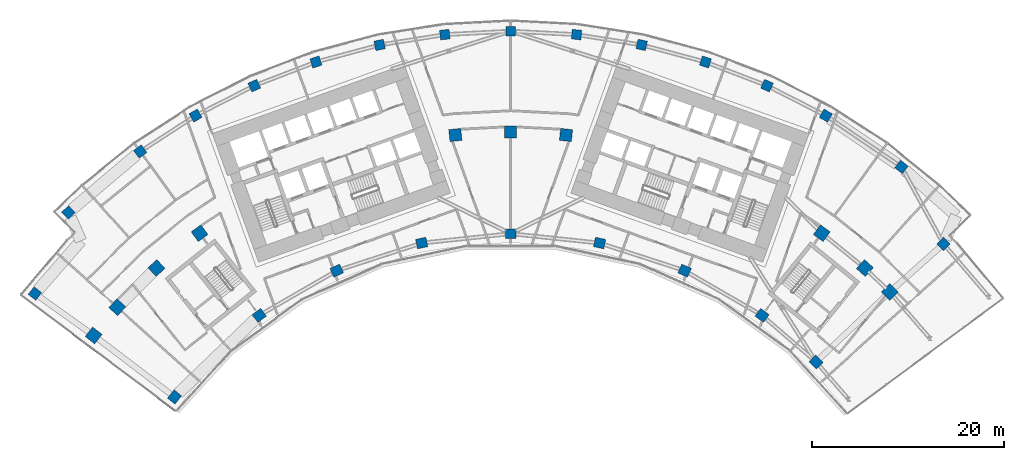
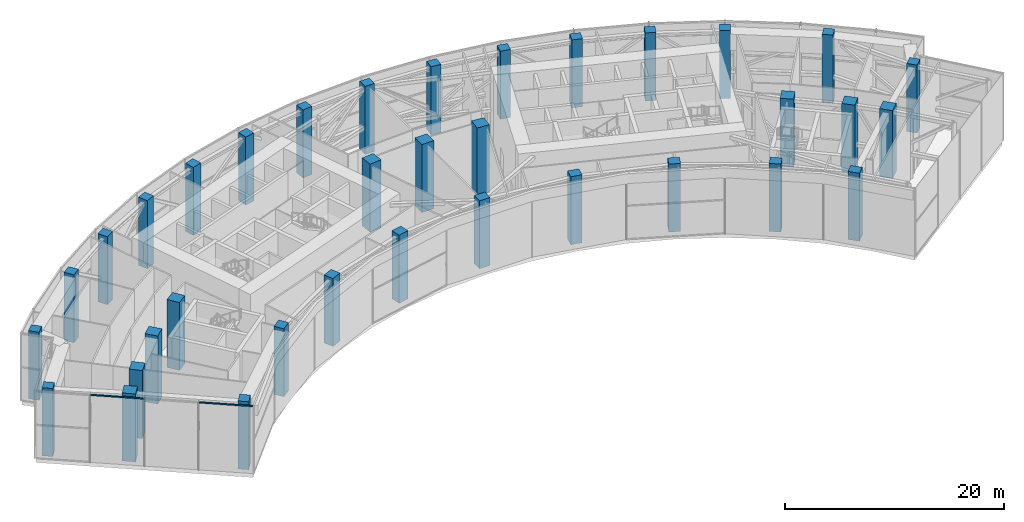
# One storey, part 1 of 32: 35 columns, 2 members, 1 element without a shape of its own.
"""IFC4 building model written with IfcOpenShell, lengths in metres."""

from ifc_helpers import new_model, si_unit, direction, frame, origin, origin_2d, place, context, subcontext, project, spatial, rectangle, extrude, material, layer, layer_set, material_profile, profile_set, type_object, element, aggregate, save


model = new_model("IFC4")

# Units and contexts
model_context = context("Model", 3, precision=1e-05, world=origin(), true_north=direction((0.0, 1.0)))
body_context = subcontext(model_context, "Body", "Model", "MODEL_VIEW")
ifc_project = project(units=[si_unit("LENGTHUNIT", "METRE"), si_unit("AREAUNIT", "SQUARE_METRE"), si_unit("VOLUMEUNIT", "CUBIC_METRE"), si_unit("PLANEANGLEUNIT", "RADIAN"), si_unit("MASSUNIT", "GRAM", prefix="KILO")], contexts=[model_context])

# Site, building, storey
site_placement = place(None, origin())
site = spatial("IfcSite", under=ifc_project, at=site_placement, CompositionType="ELEMENT")
building_placement = place(site_placement, origin())
building = spatial("IfcBuilding", under=site, at=building_placement, Name="Stone Belt Terrace Tower", CompositionType="ELEMENT")
storey_placement = place(building_placement, frame((0.0, 0.0, 193.39990234375)))
storey = spatial("IfcBuildingStorey", under=building, at=storey_placement, Name="L47", CompositionType="ELEMENT", Elevation=193.39990234375)

# Columns
ifc_material_1 = material(Name="Concrete B80", Category="concrete")
ifc_material_profile_1 = material_profile(ifc_material_1, rectangle(XDim=1.0, YDim=1.0, at=origin_2d()), Name="RC 1000x1000")
ifc_profile_set_1 = profile_set([ifc_material_profile_1], Name="Concrete B80")
column_type_1 = type_object("IfcColumnType", Name="Column RC 1000x1000 B80", PredefinedType="COLUMN", material=ifc_profile_set_1)
for number, where, z_axis, x_axis, name in (
    (1, (-49.432861328125, 38.226318359375, 0.0), (0.0, 0.0, 1.0), (0.611730019057, 0.791066611472, 0.0), "Column L47 RA"),
    (2, (44.97705078125, 43.381103515625, 0.0), (0.0, 0.0, 1.0), (0.694221333646, -0.719761585465, 0.0), "Column L47 RB"),
    (3, (-45.95849609375, 46.654296875, 0.0), (0.0, 0.0, 1.0), (0.712398494182, 0.701775167334, 0.0), "Column L47 RNA"),
    (4, (-38.493408203125, 52.981689453125, 0.0), (0.0, 0.0, 1.0), (0.809016994375, 0.587785252292, 0.0), "Column L47 R16"),
    (5, (-32.744384765625, 56.715087890625, 0.0), (0.0, 0.0, 1.0), (0.866025403784, 0.5, 0.0), "Column L47 R17"),
    (6, (-26.63671875, 59.8271484375, 0.0), (0.0, 0.0, 1.0), (0.913545457643, 0.406736643076, 0.0), "Column L47 R18"),
    (7, (-20.2373046875, 62.28369140625, 0.0), (0.0, 0.0, 1.0), (0.951056516295, 0.309016994375, 0.0), "Column L47 R19"),
    (8, (-13.615966796875, 64.057861328125, 0.0), (0.0, 0.0, 1.0), (0.978147600734, 0.207911690818, 0.0), "Column L47 R20"),
    (9, (-6.845458984375, 65.130126953125, 0.0), (0.0, 0.0, 1.0), (0.994521895368, 0.104528463268, 0.0), "Column L47 R21"),
    (10, (0.0, 65.489013671875, 0.0), (0.0, 0.0, 1.0), (1.0, 0.0, 0.0), "Column L47 R22"),
    (11, (6.845458984375, 65.130126953125, 0.0), (0.0, 0.0, 1.0), (0.994521895368, -0.104528463268, 0.0), "Column L47 R23"),
    (12, (13.615966796875, 64.057861328125, 0.0), (0.0, 0.0, 1.0), (0.978147600734, -0.207911690818, 0.0), "Column L47 R24"),
    (13, (20.2373046875, 62.28369140625, 0.0), (0.0, 0.0, 1.0), (0.951056516295, -0.309016994375, 0.0), "Column L47 R25"),
    (14, (26.63671875, 59.8271484375, 0.0), (0.0, 0.0, 1.0), (0.913545457643, -0.406736643076, 0.0), "Column L47 R26"),
    (15, (32.744384765625, 56.715087890625, 0.0), (0.0, 0.0, 1.0), (0.866025403784, -0.5, 0.0), "Column L47 R27"),
    (16, (40.605712890625, 51.380615234375, 0.0), (0.0, 0.0, 1.0), (0.784569718703, -0.620040608746, 0.0), "Column L47 RNB"),
):
    element("IfcColumn", number, at=place(storey_placement, frame(where, z_axis=z_axis, x_axis=x_axis)), inside=storey, type_object=column_type_1, Name=name, PredefinedType="COLUMN", context=body_context, shape_type="SweptSolid", body=[
        extrude(rectangle(XDim=1.0, YDim=1.0, at=origin_2d()), origin(), (0.0, 0.0, 1.0), 7.60009765625),
    ])
ifc_material_profile_2 = material_profile(ifc_material_1, rectangle(XDim=1.10009765625, YDim=1.0, at=origin_2d()), Name="RC 1100x1000")
ifc_profile_set_2 = profile_set([ifc_material_profile_2], Name="Concrete B80")
column_type_2 = type_object("IfcColumnType", Name="Column RC 1100x1000 B80", PredefinedType="COLUMN", material=ifc_profile_set_2)
for number, where, z_axis, x_axis, name in (
    (17, (-34.93408203125, 27.476806640625, 0.0), (0.0, 0.0, 1.0), (0.618217727677, 0.786006896399, 0.0), "Column L47 PA"),
    (18, (-26.1240234375, 35.956787109375, 0.0), (0.0, 0.0, 1.0), (0.809016994375, 0.587785252292, 0.0), "Column L47 P16"),
    (19, (-18.077392578125, 40.6025390625, 0.0), (0.0, 0.0, 1.0), (0.913545457643, 0.406736643076, 0.0), "Column L47 P18"),
    (20, (-9.240478515625, 43.473876953125, 0.0), (0.0, 0.0, 1.0), (0.978147600734, 0.207911690818, 0.0), "Column L47 P20"),
    (21, (0.0, 44.445068359375, 0.0), (0.0, 0.0, 1.0), (1.0, 0.0, 0.0), "Column L47 P22"),
    (22, (9.240478515625, 43.473876953125, 0.0), (0.0, 0.0, 1.0), (0.978147600734, -0.207911690818, 0.0), "Column L47 P24"),
    (23, (18.077392578125, 40.6025390625, 0.0), (0.0, 0.0, 1.0), (0.913545457643, -0.406736643076, 0.0), "Column L47 P26"),
    (24, (26.1240234375, 35.956787109375, 0.0), (0.0, 0.0, 1.0), (0.809016994375, -0.587785252292, 0.0), "Column L47 P28"),
    (25, (31.73486328125, 31.11669921875, 0.0), (0.0, 0.0, 1.0), (0.700119596097, -0.714025595592, 0.0), "Column L47 PB"),
):
    element("IfcColumn", number, at=place(storey_placement, frame(where, z_axis=z_axis, x_axis=x_axis)), inside=storey, type_object=column_type_2, Name=name, PredefinedType="COLUMN", context=body_context, shape_type="SweptSolid", body=[
        extrude(rectangle(XDim=1.10009765625, YDim=1.0, at=origin_2d()), origin(), (0.0, 0.0, 1.0), 7.60009765625),
    ])
ifc_material_profile_3 = material_profile(ifc_material_1, rectangle(XDim=1.25, YDim=1.25, at=origin_2d()), Name="RC 1250x1250")
ifc_profile_set_3 = profile_set([ifc_material_profile_3], Name="Concrete B80")
column_type_3 = type_object("IfcColumnType", Name="Column RC 1250x1250 B80", PredefinedType="COLUMN", material=ifc_profile_set_3)
for number, where, z_axis, x_axis, name in (
    (26, (-43.33349609375, 33.870361328125, 0.0), (0.0, 0.0, 1.0), (0.615825127294, 0.787882867306, 0.0), "Column L47 QA"),
    (27, (-40.873046875, 36.80224609375, 0.0), (0.0, 0.0, 1.0), (0.669130606359, 0.743144825477, 0.0), "Column L47 Q14"),
    (28, (-36.80224609375, 40.873046875, 0.0), (0.0, 0.0, 1.0), (0.743144825477, 0.669130606359, 0.0), "Column L47 Q15"),
    (29, (-32.328125, 44.495849609375, 0.0), (0.0, 0.0, 1.0), (0.809016994375, 0.587785252292, 0.0), "Column L47 Q16"),
    (30, (-5.7490234375, 54.69873046875, 0.0), (0.0, 0.0, 1.0), (0.994521895368, 0.104528463268, 0.0), "Column L47 Q21"),
    (31, (0.0, 55.0, 0.0), (0.0, 0.0, 1.0), (1.0, 0.0, 0.0), "Column L47 Q22"),
    (32, (5.7490234375, 54.69873046875, 0.0), (0.0, 0.0, 1.0), (0.994521895368, -0.104528463268, 0.0), "Column L47 Q23"),
    (33, (32.328125, 44.495849609375, 0.0), (0.0, 0.0, 1.0), (0.809016994375, -0.587785252292, 0.0), "Column L47 Q28"),
    (34, (36.80224609375, 40.873046875, 0.0), (0.0, 0.0, 1.0), (0.743144825477, -0.669130606359, 0.0), "Column L47 Q29"),
    (35, (39.38818359375, 38.386962890625, 0.0), (0.0, 0.0, 1.0), (0.697944216238, -0.716152128406, 0.0), "Column L47 QB"),
):
    element("IfcColumn", number, at=place(storey_placement, frame(where, z_axis=z_axis, x_axis=x_axis)), inside=storey, type_object=column_type_3, Name=name, PredefinedType="COLUMN", context=body_context, shape_type="SweptSolid", body=[
        extrude(rectangle(XDim=1.25, YDim=1.25, at=origin_2d()), origin(), (0.0, 0.0, 1.0), 7.60009765625),
    ])

# Curtain wall, members
ifc_material_2 = material(Name="Aluminium 6063-T6 anodised frame", Category="aluminium")
ifc_layer = layer(ifc_material_2, 0.14990234375)
ifc_layer_set = layer_set([ifc_layer], Name="CW-C stick curtain wall, horn ends and notches")
curtain_wall_type = type_object("IfcCurtainWallType", Name="CW-C stick curtain wall, horn ends and notches", PredefinedType="NOTDEFINED", material=ifc_layer_set)
curtain_wall_placement = place(storey_placement, origin())
curtain_wall = element("IfcCurtainWall", 36, at=curtain_wall_placement, inside=storey, type_object=curtain_wall_type, Name="CW-C end face L47", PredefinedType="NOTDEFINED")
ifc_material_profile_4 = material_profile(ifc_material_2, rectangle(XDim=0.14990234375, YDim=0.1201171875, at=origin_2d()), Name="Aluminium 6063-T6 150x120")
ifc_profile_set_4 = profile_set([ifc_material_profile_4], Name="Aluminium 6063-T6 anodised frame")
member_type = type_object("IfcMemberType", Name="CW-C transom 120 x 150", PredefinedType="USERDEFINED", material=ifc_profile_set_4)
member_1_placement = place(storey_placement, frame((-46.8203125, 35.02294921875, 7.5400390625), z_axis=(0.800023721353, -0.599968370227, 0.0), x_axis=(0.599968370227, 0.800023721353, 0.0)))
member_1 = element("IfcMember", 37, at=member_1_placement, type_object=member_type, Name="CW-C transom 2.1", ObjectType="TRANSOM", PredefinedType="USERDEFINED", context=body_context, shape_type="SweptSolid", body=[
    extrude(rectangle(XDim=0.14990234375, YDim=0.1201171875, at=origin_2d()), origin(), (0.0, 0.0, 1.0), 4.93994140625),
])
member_2_placement = place(storey_placement, frame((-38.8203125, 29.02294921875, 7.5400390625), z_axis=(0.799964597593, -0.600047200309, 0.0), x_axis=(0.600047200309, 0.799964597593, 0.0)))
member_2 = element("IfcMember", 38, at=member_2_placement, type_object=member_type, Name="CW-C transom 4.1", ObjectType="TRANSOM", PredefinedType="USERDEFINED", context=body_context, shape_type="SweptSolid", body=[
    extrude(rectangle(XDim=0.14990234375, YDim=0.1201171875, at=origin_2d()), origin(), (0.0, 0.0, 1.0), 4.96533203125),
])
aggregate(curtain_wall, [member_1, member_2])

save(model, "model.ifc")
